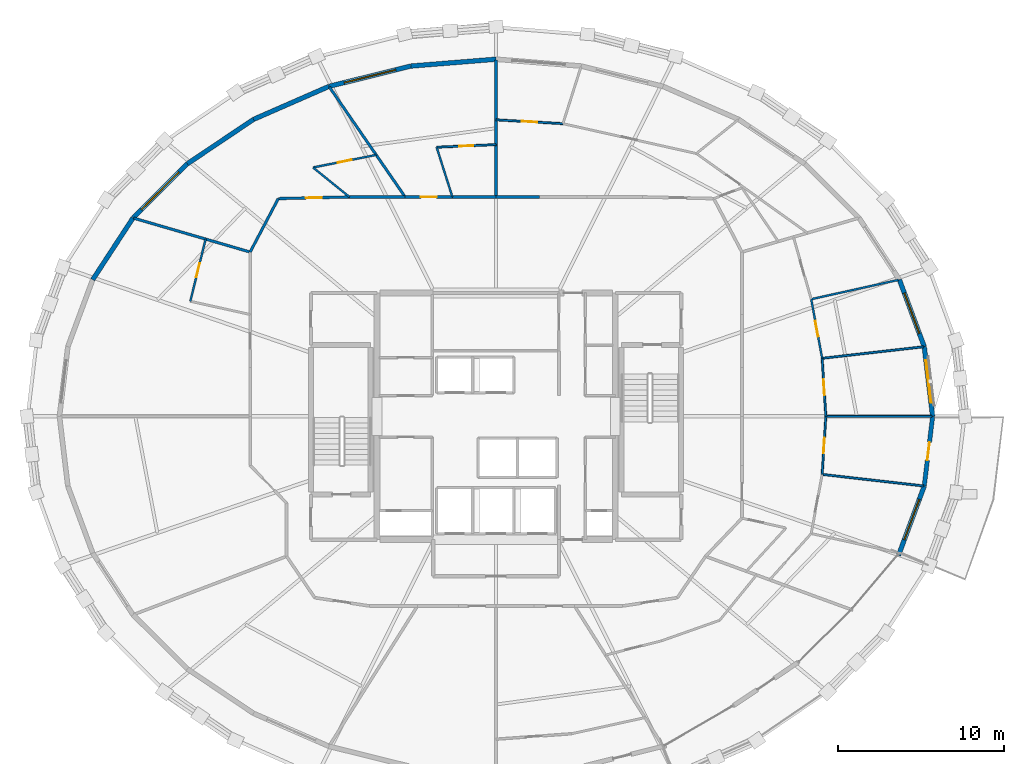
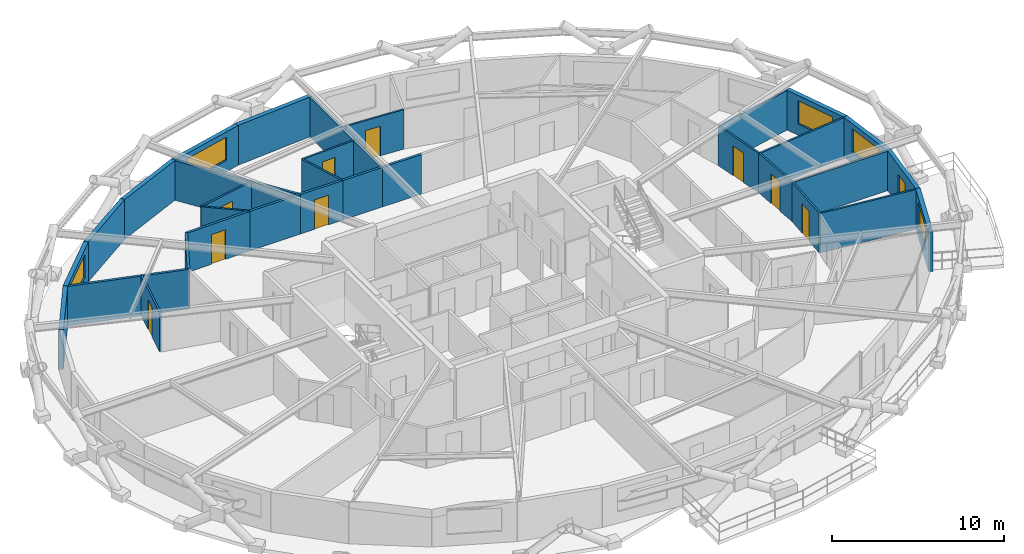
# One storey, part 12 of 14: 32 walls, 10 doors, 5 windows, 15 openings.
"""IFC4 building model written with IfcOpenShell, lengths in metres."""

from ifc_helpers import new_model, si_unit, direction, frame, frame_2d, origin, place, context, subcontext, project, spatial, rectangle, extrude, material, layer, layer_set, type_object, element, fill, save


model = new_model("IFC4")

# Units and contexts
model_context = context("Model", 3, precision=1e-05, world=origin(), true_north=direction((0.0, 1.0)))
body_context = subcontext(model_context, "Body", "Model", "MODEL_VIEW")
ifc_project = project(units=[si_unit("LENGTHUNIT", "METRE"), si_unit("AREAUNIT", "SQUARE_METRE"), si_unit("VOLUMEUNIT", "CUBIC_METRE"), si_unit("PLANEANGLEUNIT", "RADIAN"), si_unit("MASSUNIT", "GRAM", prefix="KILO")], contexts=[model_context])

# Site, building, storey
site_placement = place(None, origin())
site = spatial("IfcSite", under=ifc_project, at=site_placement, CompositionType="ELEMENT")
building_placement = place(site_placement, origin())
building = spatial("IfcBuilding", under=site, at=building_placement, Name="Veldorina Hangang Commons", CompositionType="ELEMENT")
storey_placement = place(building_placement, frame((0.0, 0.0, 149.60009765625)))
storey = spatial("IfcBuildingStorey", under=building, at=storey_placement, Name="L38", CompositionType="ELEMENT", Elevation=149.60009765625)

# Wall, opening, door
ifc_material_1 = material(Name="Stone Roman Travertine", Category="masonry")
ifc_layer_1 = layer(ifc_material_1, 0.260009765625)
ifc_layer_set_1 = layer_set([ifc_layer_1], Name="Stone Roman Travertine")
wall_type_1 = type_object("IfcWallType", Name="EW-LOGGIA-260", PredefinedType="STANDARD", material=ifc_layer_set_1)
wall_1_placement = place(storey_placement, frame((57.859130859375, 19.792236328125, 0.0), z_axis=(0.0, 0.0, 1.0), x_axis=(0.119531368207, 0.992830424602, 0.0)))
wall_1 = element("IfcWall", 1, at=wall_1_placement, inside=storey, type_object=wall_type_1, Name="L38 sky-garden loggia portal wall 31", PredefinedType="STANDARD", context=body_context, shape_type="SweptSolid", body=[
    extrude(rectangle(XDim=4.238037109375, YDim=0.260009765625, at=frame_2d((2.119140625, 0.0))), origin(), (0.0, 0.0, 1.0), 2.81982421875),
])
opening_1_placement = place(wall_1_placement, frame((1.569091796875, 0.0, 0.0)))
opening_1 = element("IfcOpeningElement", 2, at=opening_1_placement, cuts=wall_1, Name="Opening BD-1100", PredefinedType="OPENING", context=body_context, shape_type="SweptSolid", body=[
    extrude(rectangle(XDim=1.10009765625, YDim=2.14990234375, at=frame_2d((0.550048828125, 1.074951171875))), frame((0.0, 0.14013671875, 0.0), z_axis=(0.0, -1.0, 0.0), x_axis=(1.0, 0.0, 0.0)), (0.0, 0.0, 1.0), 0.280029296875),
])
ifc_material_2 = material(Name="Glass Thermal Aluminium Frame", Category="aluminium")
door_type_1 = type_object("IfcDoorType", Name="DR-EXT-BAL1100", OperationType="SINGLE_SWING_RIGHT", PredefinedType="DOOR", material=ifc_material_2)
door_1_placement = place(opening_1_placement, origin())
door_1 = element("IfcDoor", 3, at=door_1_placement, inside=storey, type_object=door_type_1, Name="L38 tree balcony glazed exterior door 31", OperationType="SINGLE_SWING_RIGHT", OverallHeight=2.14990234375, OverallWidth=1.10009765625, PredefinedType="DOOR", context=body_context, shape_type="SweptSolid", body=[
    extrude(rectangle(XDim=1.10009765625, YDim=2.14990234375, at=frame_2d((0.550048828125, 1.074951171875))), frame((0.0, 0.02490234375, 0.0), z_axis=(0.0, -1.0, 0.0), x_axis=(1.0, 0.0, 0.0)), (0.0, 0.0, 1.0), 0.050048828125),
])
fill(opening_1, door_1)

# Wall, opening, window
ifc_layer_2 = layer(ifc_material_1, 0.280029296875)
ifc_layer_set_2 = layer_set([ifc_layer_2], Name="Stone Roman Travertine")
wall_type_2 = type_object("IfcWallType", Name="EW-TRAV-280", PredefinedType="STANDARD", material=ifc_layer_set_2)
wall_2_placement = place(storey_placement, frame((58.36572265625, 24.0, 0.0), z_axis=(0.0, 0.0, 1.0), x_axis=(-0.119531368207, 0.992830424602, 0.0)))
wall_2 = element("IfcWall", 4, at=wall_2_placement, inside=storey, type_object=wall_type_2, Name="L38 travertine facade wall 00", PredefinedType="STANDARD", context=body_context, shape_type="SweptSolid", body=[
    extrude(rectangle(XDim=4.238037109375, YDim=0.280029296875, at=frame_2d((2.119140625, 0.0))), origin(), (0.0, 0.0, 1.0), 2.81982421875),
])
opening_2_placement = place(wall_2_placement, frame((0.819091796875, 0.0, 0.800048828125)))
opening_2 = element("IfcOpeningElement", 5, at=opening_2_placement, cuts=wall_2, Name="Opening W-02", PredefinedType="OPENING", context=body_context, shape_type="SweptSolid", body=[
    extrude(rectangle(XDim=2.60009765625, YDim=1.64990234375, at=frame_2d((1.300048828125, 0.824951171875))), frame((0.0, 0.14990234375, 0.0), z_axis=(0.0, -1.0, 0.0), x_axis=(1.0, 0.0, 0.0)), (0.0, 0.0, 1.0), 0.300048828125),
])
ifc_material_3 = material(Name="Glass Low-E Triple IGU", Category="glass")
window_type_1 = type_object("IfcWindowType", Name="WIN-TWR-2600", PartitioningType="SINGLE_PANEL", PredefinedType="WINDOW", material=ifc_material_3)
window_1_placement = place(opening_2_placement, origin())
window_1 = element("IfcWindow", 6, at=window_1_placement, inside=storey, type_object=window_type_1, Name="L38 facade window 00", OverallHeight=1.64990234375, OverallWidth=2.60009765625, PartitioningType="SINGLE_PANEL", PredefinedType="WINDOW", context=body_context, shape_type="SweptSolid", body=[
    extrude(rectangle(XDim=2.60009765625, YDim=1.64990234375, at=frame_2d((1.300048828125, 0.824951171875))), frame((0.0, 0.030029296875, 0.0), z_axis=(0.0, -1.0, 0.0), x_axis=(1.0, 0.0, 0.0)), (0.0, 0.0, 1.0), 0.06005859375),
])
fill(opening_2, window_1)

wall_3_placement = place(storey_placement, frame((57.859130859375, 28.207763671875, 0.0), z_axis=(0.0, 0.0, 1.0), x_axis=(-0.347673660549, 0.937615606611, 0.0)))
wall_3 = element("IfcWall", 7, at=wall_3_placement, inside=storey, type_object=wall_type_2, Name="L38 travertine facade wall 01", PredefinedType="STANDARD", context=body_context, shape_type="SweptSolid", body=[
    extrude(rectangle(XDim=4.315185546875, YDim=0.280029296875, at=frame_2d((2.15771484375, 0.0))), origin(), (0.0, 0.0, 1.0), 2.81982421875),
])
opening_3_placement = place(wall_3_placement, frame((0.857666015625, 0.0, 0.800048828125)))
opening_3 = element("IfcOpeningElement", 8, at=opening_3_placement, cuts=wall_3, Name="Opening W-02", PredefinedType="OPENING", context=body_context, shape_type="SweptSolid", body=[
    extrude(rectangle(XDim=2.60009765625, YDim=1.64990234375, at=frame_2d((1.300048828125, 0.824951171875))), frame((0.0, 0.14990234375, 0.0), z_axis=(0.0, -1.0, 0.0), x_axis=(1.0, 0.0, 0.0)), (0.0, 0.0, 1.0), 0.300048828125),
])
window_2_placement = place(opening_3_placement, origin())
window_2 = element("IfcWindow", 9, at=window_2_placement, inside=storey, type_object=window_type_1, Name="L38 facade window 01", OverallHeight=1.64990234375, OverallWidth=2.60009765625, PartitioningType="SINGLE_PANEL", PredefinedType="WINDOW", context=body_context, shape_type="SweptSolid", body=[
    extrude(rectangle(XDim=2.60009765625, YDim=1.64990234375, at=frame_2d((1.300048828125, 0.824951171875))), frame((0.0, 0.030029296875, 0.0), z_axis=(0.0, -1.0, 0.0), x_axis=(1.0, 0.0, 0.0)), (0.0, 0.0, 1.0), 0.06005859375),
])
fill(opening_3, window_2)

# Wall
wall_4_placement = place(storey_placement, frame((32.0, 45.568115234375, 0.0), z_axis=(0.0, 0.0, 1.0), x_axis=(-0.996768172261, -0.080331878898, 0.0)))
element("IfcWall", 10, at=wall_4_placement, inside=storey, type_object=wall_type_2, Name="L38 travertine facade wall 08", PredefinedType="STANDARD", context=body_context, shape_type="SweptSolid", body=[
    extrude(rectangle(XDim=5.160400390625, YDim=0.280029296875, at=frame_2d((2.580078125, 0.0))), origin(), (0.0, 0.0, 1.0), 2.81982421875),
])

# Wall, opening, window
wall_5_placement = place(storey_placement, frame((26.856201171875, 45.153564453125, 0.0), z_axis=(0.0, 0.0, 1.0), x_axis=(-0.97056654197, -0.24083311153, 0.0)))
wall_5 = element("IfcWall", 11, at=wall_5_placement, inside=storey, type_object=wall_type_2, Name="L38 travertine facade wall 09", PredefinedType="STANDARD", context=body_context, shape_type="SweptSolid", body=[
    extrude(rectangle(XDim=5.095947265625, YDim=0.280029296875, at=frame_2d((2.5478515625, 0.0))), origin(), (0.0, 0.0, 1.0), 2.81982421875),
])
opening_4_placement = place(wall_5_placement, frame((0.947998046875, 0.0, 0.800048828125)))
opening_4 = element("IfcOpeningElement", 12, at=opening_4_placement, cuts=wall_5, Name="Opening W-01", PredefinedType="OPENING", context=body_context, shape_type="SweptSolid", body=[
    extrude(rectangle(XDim=3.199951171875, YDim=1.64990234375, at=frame_2d((1.60009765625, 0.824951171875))), frame((0.0, 0.14990234375, 0.0), z_axis=(0.0, -1.0, 0.0), x_axis=(1.0, 0.0, 0.0)), (0.0, 0.0, 1.0), 0.300048828125),
])
window_type_2 = type_object("IfcWindowType", Name="WIN-TWR-3200", PartitioningType="SINGLE_PANEL", PredefinedType="WINDOW", material=ifc_material_3)
window_3_placement = place(opening_4_placement, origin())
window_3 = element("IfcWindow", 13, at=window_3_placement, inside=storey, type_object=window_type_2, Name="L38 facade window 09", OverallHeight=1.64990234375, OverallWidth=3.199951171875, PartitioningType="SINGLE_PANEL", PredefinedType="WINDOW", context=body_context, shape_type="SweptSolid", body=[
    extrude(rectangle(XDim=3.199951171875, YDim=1.64990234375, at=frame_2d((1.60009765625, 0.824951171875))), frame((0.0, 0.030029296875, 0.0), z_axis=(0.0, -1.0, 0.0), x_axis=(1.0, 0.0, 0.0)), (0.0, 0.0, 1.0), 0.06005859375),
])
fill(opening_4, window_3)

# Walls
wall_6_placement = place(storey_placement, frame((21.91015625, 43.92626953125, 0.0), z_axis=(0.0, 0.0, 1.0), x_axis=(-0.916239532795, -0.400630900634, 0.0)))
element("IfcWall", 14, at=wall_6_placement, inside=storey, type_object=wall_type_2, Name="L38 travertine facade wall 10", PredefinedType="STANDARD", context=body_context, shape_type="SweptSolid", body=[
    extrude(rectangle(XDim=4.97509765625, YDim=0.280029296875, at=frame_2d((2.487548828125, 0.0))), origin(), (0.0, 0.0, 1.0), 2.81982421875),
])
wall_7_placement = place(storey_placement, frame((17.351806640625, 41.93310546875, 0.0), z_axis=(0.0, 0.0, 1.0), x_axis=(-0.830250648056, -0.557390223634, 0.0)))
element("IfcWall", 15, at=wall_7_placement, inside=storey, type_object=wall_type_2, Name="L38 travertine facade wall 11", PredefinedType="STANDARD", context=body_context, shape_type="SweptSolid", body=[
    extrude(rectangle(XDim=4.81201171875, YDim=0.280029296875, at=frame_2d((2.406005859375, 0.0))), origin(), (0.0, 0.0, 1.0), 2.81982421875),
])

# Wall, opening, window
wall_8_placement = place(storey_placement, frame((13.356689453125, 39.2509765625, 0.0), z_axis=(0.0, 0.0, 1.0), x_axis=(-0.708239604084, -0.705972140532, 0.0)))
wall_8 = element("IfcWall", 16, at=wall_8_placement, inside=storey, type_object=wall_type_2, Name="L38 travertine facade wall 12", PredefinedType="STANDARD", context=body_context, shape_type="SweptSolid", body=[
    extrude(rectangle(XDim=4.6298828125, YDim=0.280029296875, at=frame_2d((2.31494140625, 0.0))), origin(), (0.0, 0.0, 1.0), 2.81982421875),
])
opening_5_placement = place(wall_8_placement, frame((0.71484375, 0.0, 0.800048828125)))
opening_5 = element("IfcOpeningElement", 17, at=opening_5_placement, cuts=wall_8, Name="Opening W-01", PredefinedType="OPENING", context=body_context, shape_type="SweptSolid", body=[
    extrude(rectangle(XDim=3.199951171875, YDim=1.64990234375, at=frame_2d((1.60009765625, 0.824951171875))), frame((0.0, 0.14990234375, 0.0), z_axis=(0.0, -1.0, 0.0), x_axis=(1.0, 0.0, 0.0)), (0.0, 0.0, 1.0), 0.300048828125),
])
window_4_placement = place(opening_5_placement, origin())
window_4 = element("IfcWindow", 18, at=window_4_placement, inside=storey, type_object=window_type_2, Name="L38 facade window 12", OverallHeight=1.64990234375, OverallWidth=3.199951171875, PartitioningType="SINGLE_PANEL", PredefinedType="WINDOW", context=body_context, shape_type="SweptSolid", body=[
    extrude(rectangle(XDim=3.199951171875, YDim=1.64990234375, at=frame_2d((1.60009765625, 0.824951171875))), frame((0.0, 0.030029296875, 0.0), z_axis=(0.0, -1.0, 0.0), x_axis=(1.0, 0.0, 0.0)), (0.0, 0.0, 1.0), 0.06005859375),
])
fill(opening_5, window_4)

# Wall
wall_9_placement = place(storey_placement, frame((10.07763671875, 35.982421875, 0.0), z_axis=(0.0, 0.0, 1.0), x_axis=(-0.547011581396, -0.837125038342, 0.0)))
element("IfcWall", 19, at=wall_9_placement, inside=storey, type_object=wall_type_2, Name="L38 travertine facade wall 13", PredefinedType="STANDARD", context=body_context, shape_type="SweptSolid", body=[
    extrude(rectangle(XDim=4.454345703125, YDim=0.280029296875, at=frame_2d((2.22705078125, 0.0))), origin(), (0.0, 0.0, 1.0), 2.81982421875),
])

# Wall, opening, window
wall_10_placement = place(storey_placement, frame((56.305419921875, 15.60205078125, 0.0), z_axis=(0.0, 0.0, 1.0), x_axis=(0.347666626945, 0.937618214685, 0.0)))
wall_10 = element("IfcWall", 20, at=wall_10_placement, inside=storey, type_object=wall_type_2, Name="L38 travertine facade wall 30", PredefinedType="STANDARD", context=body_context, shape_type="SweptSolid", body=[
    extrude(rectangle(XDim=4.468994140625, YDim=0.280029296875, at=frame_2d((2.234375, 0.0))), origin(), (0.0, 0.0, 1.0), 2.81982421875),
])
opening_6_placement = place(wall_10_placement, frame((1.011474609375, 0.0, 0.800048828125)))
opening_6 = element("IfcOpeningElement", 21, at=opening_6_placement, cuts=wall_10, Name="Opening W-02", PredefinedType="OPENING", context=body_context, shape_type="SweptSolid", body=[
    extrude(rectangle(XDim=2.60009765625, YDim=1.64990234375, at=frame_2d((1.300048828125, 0.824951171875))), frame((0.0, 0.14990234375, 0.0), z_axis=(0.0, -1.0, 0.0), x_axis=(1.0, 0.0, 0.0)), (0.0, 0.0, 1.0), 0.300048828125),
])
window_5_placement = place(opening_6_placement, origin())
window_5 = element("IfcWindow", 22, at=window_5_placement, inside=storey, type_object=window_type_1, Name="L38 facade window 30", OverallHeight=1.64990234375, OverallWidth=2.60009765625, PartitioningType="SINGLE_PANEL", PredefinedType="WINDOW", context=body_context, shape_type="SweptSolid", body=[
    extrude(rectangle(XDim=2.60009765625, YDim=1.64990234375, at=frame_2d((1.300048828125, 0.824951171875))), frame((0.0, 0.030029296875, 0.0), z_axis=(0.0, -1.0, 0.0), x_axis=(1.0, 0.0, 0.0)), (0.0, 0.0, 1.0), 0.06005859375),
])
fill(opening_6, window_5)

# Walls
ifc_material_4 = material(Name="Gypsum Fire-Rated Twin Stud Wall", Category="gypsum")
ifc_layer_3 = layer(ifc_material_4, 0.159912109375)
ifc_layer_set_3 = layer_set([ifc_layer_3], Name="Gypsum Fire-Rated Twin Stud Wall")
wall_type_3 = type_object("IfcWallType", Name="WL-FIRE-160", PredefinedType="SOLIDWALL", material=ifc_layer_set_3)
for number, where, z_axis, x_axis, name in (
    (23, (34.635498046875, 37.25, 0.0), (0.0, 0.0, 1.0), (-1.0, 0.0, 0.0), "L38 U-corridor outer wall 07 053"),
    (24, (32.0, 37.25, 0.0), (0.0, 0.0, 1.0), (-1.0, 0.0, 0.0), "L38 U-corridor outer wall 08 054"),
):
    element("IfcWall", number, at=place(storey_placement, frame(where, z_axis=z_axis, x_axis=x_axis)), inside=storey, type_object=wall_type_3, Name=name, PredefinedType="SOLIDWALL", context=body_context, shape_type="SweptSolid", body=[
        extrude(rectangle(XDim=2.635498046875, YDim=0.159912109375, at=frame_2d((1.31787109375, 0.0))), origin(), (0.0, 0.0, 1.0), 2.7998046875),
    ])

# Wall, opening, door
wall_11_placement = place(storey_placement, frame((29.364501953125, 37.25, 0.0), z_axis=(0.0, 0.0, 1.0), x_axis=(-1.0, 0.0, 0.0)))
wall_11 = element("IfcWall", 25, at=wall_11_placement, inside=storey, type_object=wall_type_3, Name="L38 U-corridor outer wall 09 055", PredefinedType="SOLIDWALL", context=body_context, shape_type="SweptSolid", body=[
    extrude(rectangle(XDim=2.852783203125, YDim=0.159912109375, at=frame_2d((1.42626953125, 0.0))), origin(), (0.0, 0.0, 1.0), 2.7998046875),
])
opening_7_placement = place(wall_11_placement, frame((0.951416015625, 0.0, 0.0)))
opening_7 = element("IfcOpeningElement", 26, at=opening_7_placement, cuts=wall_11, Name="Opening D-03", PredefinedType="OPENING", context=body_context, shape_type="SweptSolid", body=[
    extrude(rectangle(XDim=0.949951171875, YDim=2.10009765625, at=frame_2d((0.47509765625, 1.050048828125))), frame((0.0, 0.08984375, 0.0), z_axis=(0.0, -1.0, 0.0), x_axis=(1.0, 0.0, 0.0)), (0.0, 0.0, 1.0), 0.179931640625),
])
ifc_material_5 = material(Name="Timber Fire-Rated Entrance Core", Category="wood")
door_type_2 = type_object("IfcDoorType", Name="DR-UNIT-950", OperationType="SINGLE_SWING_RIGHT", PredefinedType="DOOR", material=ifc_material_5)
door_2_placement = place(opening_7_placement, origin())
door_2 = element("IfcDoor", 27, at=door_2_placement, inside=storey, type_object=door_type_2, Name="L38 Studio 4 entrance door 036", OperationType="SINGLE_SWING_RIGHT", OverallHeight=2.10009765625, OverallWidth=0.949951171875, PredefinedType="DOOR", context=body_context, shape_type="SweptSolid", body=[
    extrude(rectangle(XDim=0.949951171875, YDim=2.10009765625, at=frame_2d((0.47509765625, 1.050048828125))), frame((0.0, 0.02490234375, 0.0), z_axis=(0.0, -1.0, 0.0), x_axis=(1.0, 0.0, 0.0)), (0.0, 0.0, 1.0), 0.050048828125),
])
fill(opening_7, door_2)

# Wall
wall_12_placement = place(storey_placement, frame((26.51171875, 37.25, 0.0), z_axis=(0.0, 0.0, 1.0), x_axis=(-1.0, 0.0, 0.0)))
element("IfcWall", 28, at=wall_12_placement, inside=storey, type_object=wall_type_3, Name="L38 U-corridor outer wall 10 056", PredefinedType="SOLIDWALL", context=body_context, shape_type="SweptSolid", body=[
    extrude(rectangle(XDim=3.365234375, YDim=0.159912109375, at=frame_2d((1.6826171875, 0.0))), origin(), (0.0, 0.0, 1.0), 2.7998046875),
])

# Wall, opening, door
wall_13_placement = place(storey_placement, frame((23.146484375, 37.25, 0.0), z_axis=(0.0, 0.0, 1.0), x_axis=(-0.999728709658, -0.023291781507, 0.0)))
wall_13 = element("IfcWall", 29, at=wall_13_placement, inside=storey, type_object=wall_type_3, Name="L38 U-corridor outer wall 11 057", PredefinedType="SOLIDWALL", context=body_context, shape_type="SweptSolid", body=[
    extrude(rectangle(XDim=4.297607421875, YDim=0.159912109375, at=frame_2d((2.14892578125, 0.0))), origin(), (0.0, 0.0, 1.0), 2.7998046875),
])
opening_8_placement = place(wall_13_placement, frame((1.673828125, 0.0, 0.0)))
opening_8 = element("IfcOpeningElement", 30, at=opening_8_placement, cuts=wall_13, Name="Opening D-03", PredefinedType="OPENING", context=body_context, shape_type="SweptSolid", body=[
    extrude(rectangle(XDim=0.949951171875, YDim=2.10009765625, at=frame_2d((0.47509765625, 1.050048828125))), frame((0.0, 0.08984375, 0.0), z_axis=(0.0, -1.0, 0.0), x_axis=(1.0, 0.0, 0.0)), (0.0, 0.0, 1.0), 0.179931640625),
])
door_3_placement = place(opening_8_placement, origin())
door_3 = element("IfcDoor", 31, at=door_3_placement, inside=storey, type_object=door_type_2, Name="L38 Studio 5 entrance door 038", OperationType="SINGLE_SWING_RIGHT", OverallHeight=2.10009765625, OverallWidth=0.949951171875, PredefinedType="DOOR", context=body_context, shape_type="SweptSolid", body=[
    extrude(rectangle(XDim=0.949951171875, YDim=2.10009765625, at=frame_2d((0.47509765625, 1.050048828125))), frame((0.0, 0.02490234375, 0.0), z_axis=(0.0, -1.0, 0.0), x_axis=(1.0, 0.0, 0.0)), (0.0, 0.0, 1.0), 0.050048828125),
])
fill(opening_8, door_3)

# Walls
wall_14_placement = place(storey_placement, frame((18.85009765625, 37.14990234375, 0.0), z_axis=(0.0, 0.0, 1.0), x_axis=(-0.466093963429, -0.884735224378, 0.0)))
element("IfcWall", 32, at=wall_14_placement, inside=storey, type_object=wall_type_3, Name="L38 U-corridor outer wall 12 058", PredefinedType="SOLIDWALL", context=body_context, shape_type="SweptSolid", body=[
    extrude(rectangle(XDim=3.647705078125, YDim=0.159912109375, at=frame_2d((1.82373046875, 0.0))), origin(), (0.0, 0.0, 1.0), 2.7998046875),
])
wall_15_placement = place(storey_placement, frame((32.0, 37.25, 0.0), z_axis=(0.0, 0.0, 1.0), x_axis=(0.0, 1.0, 0.0)))
element("IfcWall", 33, at=wall_15_placement, inside=storey, type_object=wall_type_3, Name="L38 Unit party wall 08 104", PredefinedType="SOLIDWALL", context=body_context, shape_type="SweptSolid", body=[
    extrude(rectangle(XDim=8.26806640625, YDim=0.159912109375, at=frame_2d((4.134033203125, 0.0))), origin(), (0.0, 0.0, 1.0), 2.7998046875),
])
wall_16_placement = place(storey_placement, frame((26.51171875, 37.25, 0.0), z_axis=(0.0, 0.0, 1.0), x_axis=(-0.567491508191, 0.823379249272, 0.0)))
element("IfcWall", 34, at=wall_16_placement, inside=storey, type_object=wall_type_3, Name="L38 Unit party wall 10 107", PredefinedType="SOLIDWALL", context=body_context, shape_type="SweptSolid", body=[
    extrude(rectangle(XDim=8.058349609375, YDim=0.159912109375, at=frame_2d((4.029296875, 0.0))), origin(), (0.0, 0.0, 1.0), 2.7998046875),
])
wall_17_placement = place(storey_placement, frame((17.14990234375, 33.922607421875, 0.0), z_axis=(0.0, 0.0, 1.0), x_axis=(-0.960106072599, 0.279636065911, 0.0)))
element("IfcWall", 35, at=wall_17_placement, inside=storey, type_object=wall_type_3, Name="L38 Unit party wall 13 110", PredefinedType="SOLIDWALL", context=body_context, shape_type="SweptSolid", body=[
    extrude(rectangle(XDim=7.31640625, YDim=0.159912109375, at=frame_2d((3.658203125, 0.0))), origin(), (0.0, 0.0, 1.0), 2.7998046875),
])

# Wall, opening, door
ifc_material_6 = material(Name="Gypsum Acoustic Stud Partition", Category="gypsum")
ifc_layer_4 = layer(ifc_material_6, 0.1201171875)
ifc_layer_set_4 = layer_set([ifc_layer_4], Name="Gypsum Acoustic Stud Partition")
wall_type_4 = type_object("IfcWallType", Name="WL-PART-120", PredefinedType="PARTITIONING", material=ifc_layer_set_4)
wall_18_placement = place(storey_placement, frame((51.694091796875, 20.494384765625, 0.0), z_axis=(0.0, 0.0, 1.0), x_axis=(0.063455671899, 0.99798465805, 0.0)))
wall_18 = element("IfcWall", 36, at=wall_18_placement, inside=storey, type_object=wall_type_4, Name="L38 Cluster 2 bed 3 front wall 088", PredefinedType="PARTITIONING", context=body_context, shape_type="SweptSolid", body=[
    extrude(rectangle(XDim=3.5126953125, YDim=0.1201171875, at=frame_2d((1.75634765625, 0.0))), origin(), (0.0, 0.0, 1.0), 2.7998046875),
])
opening_9_placement = place(wall_18_placement, frame((1.28125, 0.0, 0.0)))
opening_9 = element("IfcOpeningElement", 37, at=opening_9_placement, cuts=wall_18, Name="Opening D-02", PredefinedType="OPENING", context=body_context, shape_type="SweptSolid", body=[
    extrude(rectangle(XDim=0.949951171875, YDim=2.10009765625, at=frame_2d((0.47509765625, 1.050048828125))), frame((0.0, 0.070068359375, 0.0), z_axis=(0.0, -1.0, 0.0), x_axis=(1.0, 0.0, 0.0)), (0.0, 0.0, 1.0), 0.14013671875),
])
ifc_material_7 = material(Name="Timber Solid Core Acoustic", Category="wood")
door_type_3 = type_object("IfcDoorType", Name="DR-INT-950", OperationType="SINGLE_SWING_LEFT", PredefinedType="DOOR", material=ifc_material_7)
door_4_placement = place(opening_9_placement, origin())
door_4 = element("IfcDoor", 38, at=door_4_placement, inside=storey, type_object=door_type_3, Name="L38 Cluster 2 bed 3 door 026", OperationType="SINGLE_SWING_RIGHT", OverallHeight=2.10009765625, OverallWidth=0.949951171875, PredefinedType="DOOR", context=body_context, shape_type="SweptSolid", body=[
    extrude(rectangle(XDim=0.949951171875, YDim=2.10009765625, at=frame_2d((0.47509765625, 1.050048828125))), frame((0.0, 0.02490234375, 0.0), z_axis=(0.0, -1.0, 0.0), x_axis=(1.0, 0.0, 0.0)), (0.0, 0.0, 1.0), 0.050048828125),
])
fill(opening_9, door_4)

# Wall
wall_19_placement = place(storey_placement, frame((51.694091796875, 20.494384765625, 0.0), z_axis=(0.0, 0.0, 1.0), x_axis=(0.993580655241, -0.113125954279, 0.0)))
element("IfcWall", 39, at=wall_19_placement, inside=storey, type_object=wall_type_4, Name="L38 Cluster 2 bed divider 2 089", PredefinedType="PARTITIONING", context=body_context, shape_type="SweptSolid", body=[
    extrude(rectangle(XDim=6.155029296875, YDim=0.1201171875, at=frame_2d((3.07763671875, 0.0))), origin(), (0.0, 0.0, 1.0), 2.7998046875),
])

# Wall, opening, door
wall_20_placement = place(storey_placement, frame((51.9169921875, 24.0, 0.0), z_axis=(0.0, 0.0, 1.0), x_axis=(-0.063455671899, 0.99798465805, 0.0)))
wall_20 = element("IfcWall", 40, at=wall_20_placement, inside=storey, type_object=wall_type_4, Name="L38 Cluster 2 bed 4 front wall 090", PredefinedType="PARTITIONING", context=body_context, shape_type="SweptSolid", body=[
    extrude(rectangle(XDim=3.5126953125, YDim=0.1201171875, at=frame_2d((1.75634765625, 0.0))), origin(), (0.0, 0.0, 1.0), 2.7998046875),
])
opening_10_placement = place(wall_20_placement, frame((1.28125, 0.0, 0.0)))
opening_10 = element("IfcOpeningElement", 41, at=opening_10_placement, cuts=wall_20, Name="Opening D-02", PredefinedType="OPENING", context=body_context, shape_type="SweptSolid", body=[
    extrude(rectangle(XDim=0.949951171875, YDim=2.10009765625, at=frame_2d((0.47509765625, 1.050048828125))), frame((0.0, 0.070068359375, 0.0), z_axis=(0.0, -1.0, 0.0), x_axis=(1.0, 0.0, 0.0)), (0.0, 0.0, 1.0), 0.14013671875),
])
door_5_placement = place(opening_10_placement, origin())
door_5 = element("IfcDoor", 42, at=door_5_placement, inside=storey, type_object=door_type_3, Name="L38 Cluster 2 bed 4 door 027", OperationType="SINGLE_SWING_LEFT", OverallHeight=2.10009765625, OverallWidth=0.949951171875, PredefinedType="DOOR", context=body_context, shape_type="SweptSolid", body=[
    extrude(rectangle(XDim=0.949951171875, YDim=2.10009765625, at=frame_2d((0.47509765625, 1.050048828125))), frame((0.0, 0.02490234375, 0.0), z_axis=(0.0, -1.0, 0.0), x_axis=(1.0, 0.0, 0.0)), (0.0, 0.0, 1.0), 0.050048828125),
])
fill(opening_10, door_5)

# Wall
wall_21_placement = place(storey_placement, frame((51.9169921875, 24.0, 0.0), z_axis=(0.0, 0.0, 1.0), x_axis=(1.0, 0.0, 0.0)))
element("IfcWall", 43, at=wall_21_placement, inside=storey, type_object=wall_type_4, Name="L38 Cluster 2 bed divider 3 091", PredefinedType="PARTITIONING", context=body_context, shape_type="SweptSolid", body=[
    extrude(rectangle(XDim=6.39892578125, YDim=0.1201171875, at=frame_2d((3.199462890625, 0.0))), origin(), (0.0, 0.0, 1.0), 2.7998046875),
])

# Wall, opening, door
wall_22_placement = place(storey_placement, frame((51.694091796875, 27.505615234375, 0.0), z_axis=(0.0, 0.0, 1.0), x_axis=(-0.181807554869, 0.9833341309, 0.0)))
wall_22 = element("IfcWall", 44, at=wall_22_placement, inside=storey, type_object=wall_type_4, Name="L38 Cluster 2 bed 5 front wall 092", PredefinedType="PARTITIONING", context=body_context, shape_type="SweptSolid", body=[
    extrude(rectangle(XDim=3.631103515625, YDim=0.1201171875, at=frame_2d((1.8154296875, 0.0))), origin(), (0.0, 0.0, 1.0), 2.7998046875),
])
opening_11_placement = place(wall_22_placement, frame((1.340576171875, 0.0, 0.0)))
opening_11 = element("IfcOpeningElement", 45, at=opening_11_placement, cuts=wall_22, Name="Opening D-02", PredefinedType="OPENING", context=body_context, shape_type="SweptSolid", body=[
    extrude(rectangle(XDim=0.949951171875, YDim=2.10009765625, at=frame_2d((0.47509765625, 1.050048828125))), frame((0.0, 0.070068359375, 0.0), z_axis=(0.0, -1.0, 0.0), x_axis=(1.0, 0.0, 0.0)), (0.0, 0.0, 1.0), 0.14013671875),
])
door_6_placement = place(opening_11_placement, origin())
door_6 = element("IfcDoor", 46, at=door_6_placement, inside=storey, type_object=door_type_3, Name="L38 Cluster 2 bed 5 door 028", OperationType="SINGLE_SWING_RIGHT", OverallHeight=2.10009765625, OverallWidth=0.949951171875, PredefinedType="DOOR", context=body_context, shape_type="SweptSolid", body=[
    extrude(rectangle(XDim=0.949951171875, YDim=2.10009765625, at=frame_2d((0.47509765625, 1.050048828125))), frame((0.0, 0.02490234375, 0.0), z_axis=(0.0, -1.0, 0.0), x_axis=(1.0, 0.0, 0.0)), (0.0, 0.0, 1.0), 0.050048828125),
])
fill(opening_11, door_6)

# Walls
wall_23_placement = place(storey_placement, frame((51.694091796875, 27.505615234375, 0.0), z_axis=(0.0, 0.0, 1.0), x_axis=(0.993580655241, 0.113125954279, 0.0)))
element("IfcWall", 47, at=wall_23_placement, inside=storey, type_object=wall_type_4, Name="L38 Cluster 2 bed divider 4 093", PredefinedType="PARTITIONING", context=body_context, shape_type="SweptSolid", body=[
    extrude(rectangle(XDim=6.155029296875, YDim=0.1201171875, at=frame_2d((3.07763671875, 0.0))), origin(), (0.0, 0.0, 1.0), 2.7998046875),
])
wall_24_placement = place(storey_placement, frame((51.033935546875, 31.076171875, 0.0), z_axis=(0.0, 0.0, 1.0), x_axis=(0.976410849666, 0.21592094075, 0.0)))
element("IfcWall", 48, at=wall_24_placement, inside=storey, type_object=wall_type_4, Name="L38 Cluster 2 bed divider 5 095", PredefinedType="PARTITIONING", context=body_context, shape_type="SweptSolid", body=[
    extrude(rectangle(XDim=5.403564453125, YDim=0.1201171875, at=frame_2d((2.70166015625, 0.0))), origin(), (0.0, 0.0, 1.0), 2.7998046875),
])

# Wall, opening, door
wall_25_placement = place(storey_placement, frame((36.0400390625, 41.676025390625, 0.0), z_axis=(0.0, 0.0, 1.0), x_axis=(-0.998352725869, 0.057374513071, 0.0)))
wall_25 = element("IfcWall", 49, at=wall_25_placement, inside=storey, type_object=wall_type_4, Name="L38 Cluster 3 bed 3 front wall 102", PredefinedType="PARTITIONING", context=body_context, shape_type="SweptSolid", body=[
    extrude(rectangle(XDim=4.046630859375, YDim=0.1201171875, at=frame_2d((2.0234375, 0.0))), origin(), (0.0, 0.0, 1.0), 2.7998046875),
])
opening_12_placement = place(wall_25_placement, frame((1.54833984375, 0.0, 0.0)))
opening_12 = element("IfcOpeningElement", 50, at=opening_12_placement, cuts=wall_25, Name="Opening D-02", PredefinedType="OPENING", context=body_context, shape_type="SweptSolid", body=[
    extrude(rectangle(XDim=0.949951171875, YDim=2.10009765625, at=frame_2d((0.47509765625, 1.050048828125))), frame((0.0, 0.070068359375, 0.0), z_axis=(0.0, -1.0, 0.0), x_axis=(1.0, 0.0, 0.0)), (0.0, 0.0, 1.0), 0.14013671875),
])
door_7_placement = place(opening_12_placement, origin())
door_7 = element("IfcDoor", 51, at=door_7_placement, inside=storey, type_object=door_type_3, Name="L38 Cluster 3 bed 3 door 034", OperationType="SINGLE_SWING_RIGHT", OverallHeight=2.10009765625, OverallWidth=0.949951171875, PredefinedType="DOOR", context=body_context, shape_type="SweptSolid", body=[
    extrude(rectangle(XDim=0.949951171875, YDim=2.10009765625, at=frame_2d((0.47509765625, 1.050048828125))), frame((0.0, 0.02490234375, 0.0), z_axis=(0.0, -1.0, 0.0), x_axis=(1.0, 0.0, 0.0)), (0.0, 0.0, 1.0), 0.050048828125),
])
fill(opening_12, door_7)

wall_26_placement = place(storey_placement, frame((32.0, 40.410888671875, 0.0), z_axis=(0.0, 0.0, 1.0), x_axis=(-0.999038637382, -0.043838350984, 0.0)))
wall_26 = element("IfcWall", 52, at=wall_26_placement, inside=storey, type_object=wall_type_4, Name="L38 Studio 4 bath front wall 105", PredefinedType="PARTITIONING", context=body_context, shape_type="SweptSolid", body=[
    extrude(rectangle(XDim=3.592041015625, YDim=0.1201171875, at=frame_2d((1.7958984375, 0.0))), origin(), (0.0, 0.0, 1.0), 2.7998046875),
])
opening_13_placement = place(wall_26_placement, frame((1.3662109375, 0.0, 0.0)))
opening_13 = element("IfcOpeningElement", 53, at=opening_13_placement, cuts=wall_26, Name="Opening D-01", PredefinedType="OPENING", context=body_context, shape_type="SweptSolid", body=[
    extrude(rectangle(XDim=0.860107421875, YDim=2.10009765625, at=frame_2d((0.43017578125, 1.050048828125))), frame((0.0, 0.070068359375, 0.0), z_axis=(0.0, -1.0, 0.0), x_axis=(1.0, 0.0, 0.0)), (0.0, 0.0, 1.0), 0.14013671875),
])
ifc_material_8 = material(Name="Timber Moisture-Resistant Core", Category="wood")
door_type_4 = type_object("IfcDoorType", Name="DR-WET-860", OperationType="SINGLE_SWING_LEFT", PredefinedType="DOOR", material=ifc_material_8)
door_8_placement = place(opening_13_placement, origin())
door_8 = element("IfcDoor", 54, at=door_8_placement, inside=storey, type_object=door_type_4, Name="L38 Studio 4 bathroom door 035", OperationType="SINGLE_SWING_LEFT", OverallHeight=2.10009765625, OverallWidth=0.860107421875, PredefinedType="DOOR", context=body_context, shape_type="SweptSolid", body=[
    extrude(rectangle(XDim=0.860107421875, YDim=2.10009765625, at=frame_2d((0.43017578125, 1.050048828125))), frame((0.0, 0.02490234375, 0.0), z_axis=(0.0, -1.0, 0.0), x_axis=(1.0, 0.0, 0.0)), (0.0, 0.0, 1.0), 0.050048828125),
])
fill(opening_13, door_8)

# Wall
wall_27_placement = place(storey_placement, frame((29.364501953125, 37.25, 0.0), z_axis=(0.0, 0.0, 1.0), x_axis=(-0.302480813685, 0.953155473862, 0.0)))
element("IfcWall", 55, at=wall_27_placement, inside=storey, type_object=wall_type_4, Name="L38 Studio 4 bath side wall 106", PredefinedType="PARTITIONING", context=body_context, shape_type="SweptSolid", body=[
    extrude(rectangle(XDim=3.151123046875, YDim=0.1201171875, at=frame_2d((1.57568359375, 0.0))), origin(), (0.0, 0.0, 1.0), 2.7998046875),
])

# Wall, opening, door
wall_28_placement = place(storey_placement, frame((24.76318359375, 39.787109375, 0.0), z_axis=(0.0, 0.0, 1.0), x_axis=(-0.980883411838, -0.19459633188, 0.0)))
wall_28 = element("IfcWall", 56, at=wall_28_placement, inside=storey, type_object=wall_type_4, Name="L38 Studio 5 bath front wall 108", PredefinedType="PARTITIONING", context=body_context, shape_type="SweptSolid", body=[
    extrude(rectangle(XDim=3.89306640625, YDim=0.1201171875, at=frame_2d((1.946533203125, 0.0))), origin(), (0.0, 0.0, 1.0), 2.7998046875),
])
opening_14_placement = place(wall_28_placement, frame((1.5166015625, 0.0, 0.0)))
opening_14 = element("IfcOpeningElement", 57, at=opening_14_placement, cuts=wall_28, Name="Opening D-01", PredefinedType="OPENING", context=body_context, shape_type="SweptSolid", body=[
    extrude(rectangle(XDim=0.860107421875, YDim=2.10009765625, at=frame_2d((0.43017578125, 1.050048828125))), frame((0.0, 0.070068359375, 0.0), z_axis=(0.0, -1.0, 0.0), x_axis=(1.0, 0.0, 0.0)), (0.0, 0.0, 1.0), 0.14013671875),
])
door_9_placement = place(opening_14_placement, origin())
door_9 = element("IfcDoor", 58, at=door_9_placement, inside=storey, type_object=door_type_4, Name="L38 Studio 5 bathroom door 037", OperationType="SINGLE_SWING_LEFT", OverallHeight=2.10009765625, OverallWidth=0.860107421875, PredefinedType="DOOR", context=body_context, shape_type="SweptSolid", body=[
    extrude(rectangle(XDim=0.860107421875, YDim=2.10009765625, at=frame_2d((0.43017578125, 1.050048828125))), frame((0.0, 0.02490234375, 0.0), z_axis=(0.0, -1.0, 0.0), x_axis=(1.0, 0.0, 0.0)), (0.0, 0.0, 1.0), 0.050048828125),
])
fill(opening_14, door_9)

# Wall
wall_29_placement = place(storey_placement, frame((23.146484375, 37.25, 0.0), z_axis=(0.0, 0.0, 1.0), x_axis=(-0.777754702038, 0.628567914753, 0.0)))
element("IfcWall", 59, at=wall_29_placement, inside=storey, type_object=wall_type_4, Name="L38 Studio 5 bath side wall 109", PredefinedType="PARTITIONING", context=body_context, shape_type="SweptSolid", body=[
    extrude(rectangle(XDim=2.8310546875, YDim=0.1201171875, at=frame_2d((1.41552734375, 0.0))), origin(), (0.0, 0.0, 1.0), 2.7998046875),
])

# Wall, opening, door
wall_30_placement = place(storey_placement, frame((14.46240234375, 34.705322265625, 0.0), z_axis=(0.0, 0.0, 1.0), x_axis=(-0.239370650349, -0.970928262927, 0.0)))
wall_30 = element("IfcWall", 60, at=wall_30_placement, inside=storey, type_object=wall_type_4, Name="L38 Studio 6 bath front wall 111", PredefinedType="PARTITIONING", context=body_context, shape_type="SweptSolid", body=[
    extrude(rectangle(XDim=3.86767578125, YDim=0.1201171875, at=frame_2d((1.933837890625, 0.0))), origin(), (0.0, 0.0, 1.0), 2.7998046875),
])
opening_15_placement = place(wall_30_placement, frame((1.50390625, 0.0, 0.0)))
opening_15 = element("IfcOpeningElement", 61, at=opening_15_placement, cuts=wall_30, Name="Opening D-01", PredefinedType="OPENING", context=body_context, shape_type="SweptSolid", body=[
    extrude(rectangle(XDim=0.860107421875, YDim=2.10009765625, at=frame_2d((0.43017578125, 1.050048828125))), frame((0.0, 0.070068359375, 0.0), z_axis=(0.0, -1.0, 0.0), x_axis=(1.0, 0.0, 0.0)), (0.0, 0.0, 1.0), 0.14013671875),
])
door_10_placement = place(opening_15_placement, origin())
door_10 = element("IfcDoor", 62, at=door_10_placement, inside=storey, type_object=door_type_4, Name="L38 Studio 6 bathroom door 039", OperationType="SINGLE_SWING_LEFT", OverallHeight=2.10009765625, OverallWidth=0.860107421875, PredefinedType="DOOR", context=body_context, shape_type="SweptSolid", body=[
    extrude(rectangle(XDim=0.860107421875, YDim=2.10009765625, at=frame_2d((0.43017578125, 1.050048828125))), frame((0.0, 0.02490234375, 0.0), z_axis=(0.0, -1.0, 0.0), x_axis=(1.0, 0.0, 0.0)), (0.0, 0.0, 1.0), 0.050048828125),
])
fill(opening_15, door_10)

save(model, "model.ifc")
